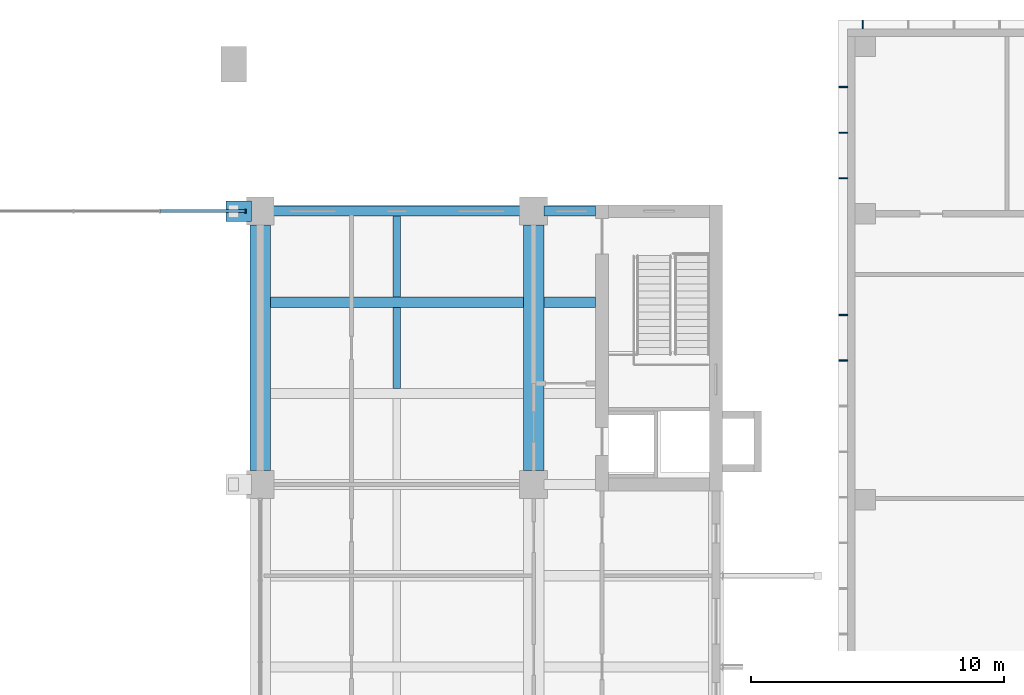
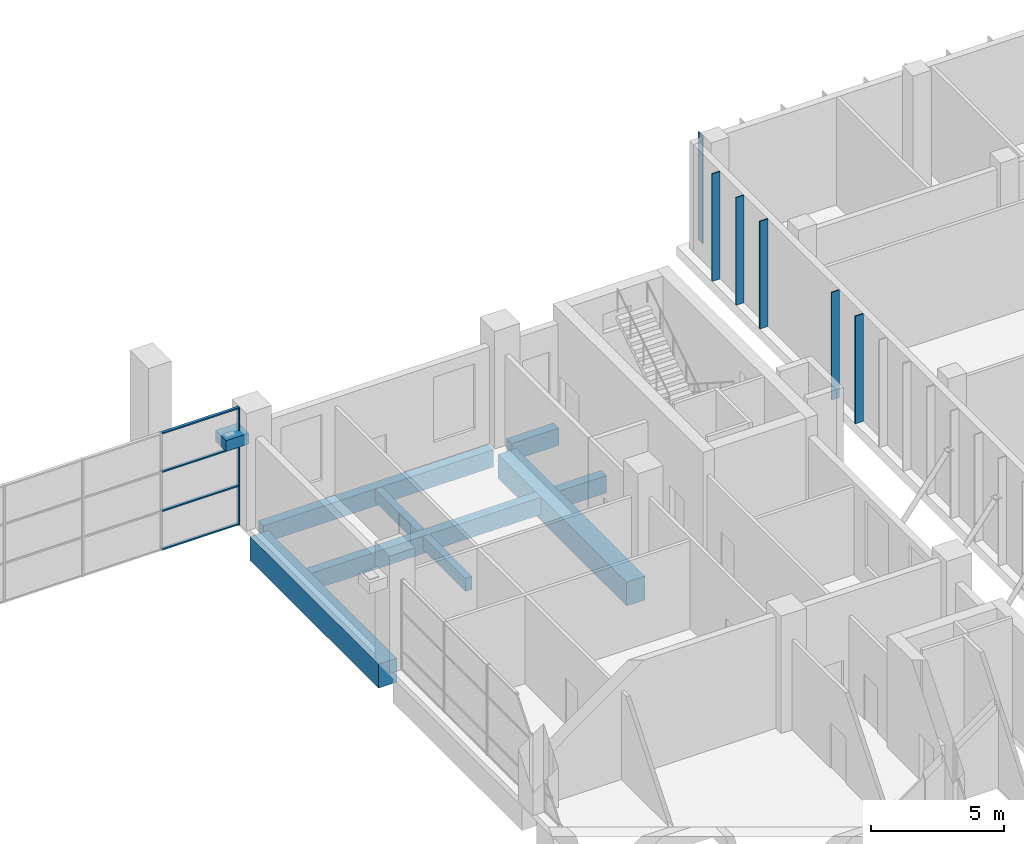
# One storey, part 12 of 38: 11 members, 9 beams, 1 element without a shape of its own.
"""IFC4 building model written with IfcOpenShell, lengths in metres."""

from ifc_helpers import new_model, si_unit, direction, frame, origin, origin_2d, place, context, subcontext, project, spatial, rectangle, extrude, material, layer, layer_set, material_profile, profile_set, type_object, element, aggregate, save


model = new_model("IFC4")

# Units and contexts
model_context = context("Model", 3, precision=1e-05, world=origin(), true_north=direction((0.0, 1.0)))
body_context = subcontext(model_context, "Body", "Model", "MODEL_VIEW")
ifc_project = project(units=[si_unit("LENGTHUNIT", "METRE"), si_unit("AREAUNIT", "SQUARE_METRE"), si_unit("VOLUMEUNIT", "CUBIC_METRE"), si_unit("PLANEANGLEUNIT", "RADIAN"), si_unit("MASSUNIT", "GRAM", prefix="KILO")], contexts=[model_context])

# Site, building, storey
site_placement = place(None, origin())
site = spatial("IfcSite", under=ifc_project, at=site_placement, CompositionType="ELEMENT")
building_placement = place(site_placement, origin())
building = spatial("IfcBuilding", under=site, at=building_placement, Name="Basin Gate Institute", CompositionType="ELEMENT")
storey_placement = place(building_placement, frame((0.0, 0.0, 16.800048828125)))
storey = spatial("IfcBuildingStorey", under=building, at=storey_placement, Name="L03", CompositionType="ELEMENT", Elevation=16.800048828125)

# Curtain wall, members
ifc_material_1 = material(Name="Aluminium and glass curtain wall", Category="aluminium")
ifc_layer = layer(ifc_material_1, 0.14990234375)
ifc_layer_set = layer_set([ifc_layer], Name="Atrium curtain wall CW81")
curtain_wall_type = type_object("IfcCurtainWallType", Name="Atrium curtain wall CW81", PredefinedType="NOTDEFINED", material=ifc_layer_set)
curtain_wall_placement = place(storey_placement, origin())
curtain_wall = element("IfcCurtainWall", 1, at=curtain_wall_placement, inside=storey, type_object=curtain_wall_type, material=ifc_layer_set, Name="Atrium end screen N L03", PredefinedType="NOTDEFINED")
ifc_material_2 = material(Name="Aluminium mullion", Category="aluminium")
ifc_material_profile_1 = material_profile(ifc_material_2, rectangle(XDim=0.159912109375, YDim=0.06005859375, at=origin_2d()), Name="Atrium mullion MU81 160 x 60")
ifc_profile_set_1 = profile_set([ifc_material_profile_1], Name="Aluminium mullion")
member_type_1 = type_object("IfcMemberType", Name="Atrium mullion MU81", PredefinedType="MULLION", material=ifc_profile_set_1)
member_1_placement = place(storey_placement, frame((100.219970703125, 99.89990234375, 0.0), z_axis=(0.0, 0.0, 1.0), x_axis=(0.0, 1.0, 0.0)))
member_1 = element("IfcMember", 2, at=member_1_placement, type_object=member_type_1, material=ifc_profile_set_1, Name="CW81 mullion 7", PredefinedType="MULLION", context=body_context, shape_type="SweptSolid", body=[
    extrude(rectangle(XDim=0.159912109375, YDim=0.06005859375, at=origin_2d()), origin(), (0.0, 0.0, 1.0), 5.39990234375),
])
ifc_material_3 = material(Name="Aluminium transom", Category="aluminium")
ifc_material_profile_2 = material_profile(ifc_material_3, rectangle(XDim=0.1201171875, YDim=0.06005859375, at=origin_2d()), Name="Atrium transom TR81 120 x 60")
ifc_profile_set_2 = profile_set([ifc_material_profile_2], Name="Aluminium transom")
member_type_2 = type_object("IfcMemberType", Name="Atrium transom TR81", PredefinedType="USERDEFINED", material=ifc_profile_set_2)
member_2_placement = place(storey_placement, frame((96.86328125, 99.89990234375, 0.030029296875), z_axis=(1.0, 0.0, 0.0), x_axis=(0.0, 1.0, 0.0)))
member_2 = element("IfcMember", 3, at=member_2_placement, type_object=member_type_2, material=ifc_profile_set_2, Name="CW81 transom 6.1", ObjectType="TRANSOM", PredefinedType="USERDEFINED", context=body_context, shape_type="SweptSolid", body=[
    extrude(rectangle(XDim=0.1201171875, YDim=0.06005859375, at=origin_2d()), origin(), (0.0, 0.0, 1.0), 3.32666015625),
])
member_3_placement = place(storey_placement, frame((96.86328125, 99.89990234375, 1.800048828125), z_axis=(1.0, 0.0, 0.0), x_axis=(0.0, 1.0, 0.0)))
member_3 = element("IfcMember", 4, at=member_3_placement, type_object=member_type_2, material=ifc_profile_set_2, Name="CW81 transom 6.2", ObjectType="TRANSOM", PredefinedType="USERDEFINED", context=body_context, shape_type="SweptSolid", body=[
    extrude(rectangle(XDim=0.1201171875, YDim=0.06005859375, at=origin_2d()), origin(), (0.0, 0.0, 1.0), 3.32666015625),
])
member_4_placement = place(storey_placement, frame((96.86328125, 99.89990234375, 3.599853515625), z_axis=(1.0, 0.0, 0.0), x_axis=(0.0, 1.0, 0.0)))
member_4 = element("IfcMember", 5, at=member_4_placement, type_object=member_type_2, material=ifc_profile_set_2, Name="CW81 transom 6.3", ObjectType="TRANSOM", PredefinedType="USERDEFINED", context=body_context, shape_type="SweptSolid", body=[
    extrude(rectangle(XDim=0.1201171875, YDim=0.06005859375, at=origin_2d()), origin(), (0.0, 0.0, 1.0), 3.32666015625),
])
member_5_placement = place(storey_placement, frame((96.86328125, 99.89990234375, 5.369873046875), z_axis=(1.0, 0.0, 0.0), x_axis=(0.0, 1.0, 0.0)))
member_5 = element("IfcMember", 6, at=member_5_placement, type_object=member_type_2, material=ifc_profile_set_2, Name="CW81 transom 6.4", ObjectType="TRANSOM", PredefinedType="USERDEFINED", context=body_context, shape_type="SweptSolid", body=[
    extrude(rectangle(XDim=0.1201171875, YDim=0.06005859375, at=origin_2d()), origin(), (0.0, 0.0, 1.0), 3.32666015625),
])
aggregate(curtain_wall, [member_1, member_2, member_3, member_4, member_5])

# Beams
ifc_material_4 = material(Name="Concrete 40 MPa", Category="concrete")
ifc_material_profile_3 = material_profile(ifc_material_4, rectangle(XDim=0.39990234375, YDim=0.800048828125, at=origin_2d()), Name="Beam B2 400 x 800")
ifc_profile_set_3 = profile_set([ifc_material_profile_3], Name="Concrete 40 MPa")
beam_type_1 = type_object("IfcBeamType", Name="Beam B2 R180", PredefinedType="BEAM", material=ifc_profile_set_3)
beam_1_placement = place(storey_placement, frame((111.199951171875, 96.300048828125, -0.699951171875), z_axis=(-1.0, 0.0, 0.0), x_axis=(0.0, -1.0, 0.0)))
element("IfcBeam", 7, at=beam_1_placement, inside=storey, type_object=beam_type_1, material=ifc_profile_set_3, Name="BEAM/L03/E/EW/18", PredefinedType="BEAM", context=body_context, shape_type="SweptSolid", body=[
    extrude(rectangle(XDim=0.39990234375, YDim=0.800048828125, at=origin_2d()), origin(), (0.0, 0.0, 1.0), 10.0),
])
beam_2_placement = place(storey_placement, frame((114.050048828125, 96.300048828125, -0.699951171875), z_axis=(-1.0, 0.0, 0.0), x_axis=(0.0, -1.0, 0.0)))
element("IfcBeam", 8, at=beam_2_placement, inside=storey, type_object=beam_type_1, material=ifc_profile_set_3, Name="BEAM/L03/E/CORR/18", PredefinedType="BEAM", context=body_context, shape_type="SweptSolid", body=[
    extrude(rectangle(XDim=0.39990234375, YDim=0.800048828125, at=origin_2d()), origin(), (0.0, 0.0, 1.0), 2.050048828125),
])
beam_3_placement = place(storey_placement, frame((111.199951171875, 99.89990234375, -0.699951171875), z_axis=(-1.0, 0.0, 0.0), x_axis=(0.0, -1.0, 0.0)))
element("IfcBeam", 9, at=beam_3_placement, inside=storey, type_object=beam_type_1, material=ifc_profile_set_3, Name="BEAM/L03/E/EW/19", PredefinedType="BEAM", context=body_context, shape_type="SweptSolid", body=[
    extrude(rectangle(XDim=0.39990234375, YDim=0.800048828125, at=origin_2d()), origin(), (0.0, 0.0, 1.0), 10.0),
])
beam_4_placement = place(storey_placement, frame((114.050048828125, 99.89990234375, -0.699951171875), z_axis=(-1.0, 0.0, 0.0), x_axis=(0.0, -1.0, 0.0)))
element("IfcBeam", 10, at=beam_4_placement, inside=storey, type_object=beam_type_1, material=ifc_profile_set_3, Name="BEAM/L03/E/CORR/19", PredefinedType="BEAM", context=body_context, shape_type="SweptSolid", body=[
    extrude(rectangle(XDim=0.39990234375, YDim=0.800048828125, at=origin_2d()), origin(), (0.0, 0.0, 1.0), 2.050048828125),
])
ifc_material_5 = material(Name="Concrete 40 MPa", Category="concrete")
ifc_material_profile_4 = material_profile(ifc_material_5, rectangle(XDim=0.800048828125, YDim=0.5, at=origin_2d()), Name="Beam CB1 800 x 500")
ifc_profile_set_4 = profile_set([ifc_material_profile_4], Name="Concrete 40 MPa")
beam_type_2 = type_object("IfcBeamType", Name="Beam CB1 R180", PredefinedType="BEAM", material=ifc_profile_set_4)
beam_5_placement = place(storey_placement, frame((100.449951171875, 99.89990234375, 4.099853515625), z_axis=(-1.0, 0.0, 0.0), x_axis=(0.0, -1.0, 0.0)))
element("IfcBeam", 11, at=beam_5_placement, inside=storey, type_object=beam_type_2, material=ifc_profile_set_4, Name="Atrium shell corbel R180 7E", PredefinedType="BEAM", context=body_context, shape_type="SweptSolid", body=[
    extrude(rectangle(XDim=0.800048828125, YDim=0.5, at=origin_2d()), origin(), (0.0, 0.0, 1.0), 1.0),
])
ifc_material_6 = material(Name="Concrete 50 MPa", Category="concrete")
ifc_material_profile_5 = material_profile(ifc_material_6, rectangle(XDim=0.800048828125, YDim=1.10009765625, at=origin_2d()), Name="Girder G2 800 x 1100")
ifc_profile_set_5 = profile_set([ifc_material_profile_5], Name="Concrete 50 MPa")
beam_type_3 = type_object("IfcBeamType", Name="Girder G2 R180", PredefinedType="BEAM", material=ifc_profile_set_5)
for number, where, z_axis, x_axis, name in (
    (12, (111.60009765625, 89.64990234375, -0.85009765625), (0.0, 1.0, 0.0), (-1.0, 0.0, 0.0), "GIR/L03/E8/6"),
    (13, (100.800048828125, 89.64990234375, -0.85009765625), (0.0, 1.0, 0.0), (-1.0, 0.0, 0.0), "GIR/L03/E7/6"),
):
    element("IfcBeam", number, at=place(storey_placement, frame(where, z_axis=z_axis, x_axis=x_axis)), inside=storey, type_object=beam_type_3, material=ifc_profile_set_5, Name=name, PredefinedType="BEAM", context=body_context, shape_type="SweptSolid", body=[
        extrude(rectangle(XDim=0.800048828125, YDim=1.10009765625, at=origin_2d()), origin(), (0.0, 0.0, 1.0), 9.7001953125),
    ])

# Members
ifc_material_7 = material(Name="Anodised aluminium", Category="aluminium")
ifc_material_profile_6 = material_profile(ifc_material_7, rectangle(XDim=0.050048828125, YDim=0.35009765625, at=origin_2d()), Name="Louvre fin CF1 50 x 350")
ifc_profile_set_6 = profile_set([ifc_material_profile_6], Name="Anodised aluminium")
member_type_3 = type_object("IfcMemberType", Name="Louvre fin CF1", PredefinedType="PLATE", material=ifc_profile_set_6)
for number, where, z_axis, x_axis, name in (
    (14, (124.60009765625, 107.27490234375, 0.0), (0.0, 0.0, 1.0), (1.0, 0.0, 0.0), "Louvre fin CF1 N1 L03"),
    (15, (123.824951171875, 94.0, 0.0), (0.0, 0.0, 1.0), (0.0, 1.0, 0.0), "Louvre fin CF1 W14 L03"),
    (16, (123.824951171875, 95.800048828125, 0.0), (0.0, 0.0, 1.0), (0.0, 1.0, 0.0), "Louvre fin CF1 W15 L03"),
    (17, (123.824951171875, 101.199951171875, 0.0), (0.0, 0.0, 1.0), (0.0, 1.0, 0.0), "Louvre fin CF1 W18 L03"),
    (18, (123.824951171875, 103.0, 0.0), (0.0, 0.0, 1.0), (0.0, 1.0, 0.0), "Louvre fin CF1 W19 L03"),
    (19, (123.824951171875, 104.800048828125, 0.0), (0.0, 0.0, 1.0), (0.0, 1.0, 0.0), "Louvre fin CF1 W20 L03"),
):
    element("IfcMember", number, at=place(storey_placement, frame(where, z_axis=z_axis, x_axis=x_axis)), inside=storey, type_object=member_type_3, material=ifc_profile_set_6, Name=name, PredefinedType="PLATE", context=body_context, shape_type="SweptSolid", body=[
        extrude(rectangle(XDim=0.050048828125, YDim=0.35009765625, at=origin_2d()), origin(), (0.0, 0.0, 1.0), 4.949951171875),
    ])

# Beams
ifc_material_8 = material(Name="Concrete 40 MPa", Category="concrete")
ifc_material_profile_7 = material_profile(ifc_material_8, rectangle(XDim=0.300048828125, YDim=0.60009765625, at=origin_2d()), Name="Rib R2 300 x 600")
ifc_profile_set_7 = profile_set([ifc_material_profile_7], Name="Concrete 40 MPa")
beam_type_4 = type_object("IfcBeamType", Name="Rib R2 R180", PredefinedType="JOIST", material=ifc_profile_set_7)
beam_6_placement = place(storey_placement, frame((106.199951171875, 92.89990234375, -0.60009765625), z_axis=(0.0, 1.0, 0.0), x_axis=(-1.0, 0.0, 0.0)))
element("IfcBeam", 20, at=beam_6_placement, inside=storey, type_object=beam_type_4, material=ifc_profile_set_7, Name="BEAM/L03/E/RIB/17", PredefinedType="JOIST", context=body_context, shape_type="SweptSolid", body=[
    extrude(rectangle(XDim=0.300048828125, YDim=0.60009765625, at=origin_2d()), origin(), (0.0, 0.0, 1.0), 3.2001953125),
])
beam_7_placement = place(storey_placement, frame((106.199951171875, 96.5, -0.60009765625), z_axis=(0.0, 1.0, 0.0), x_axis=(-1.0, 0.0, 0.0)))
element("IfcBeam", 21, at=beam_7_placement, inside=storey, type_object=beam_type_4, material=ifc_profile_set_7, Name="BEAM/L03/E/RIB/18", PredefinedType="JOIST", context=body_context, shape_type="SweptSolid", body=[
    extrude(rectangle(XDim=0.300048828125, YDim=0.60009765625, at=origin_2d()), origin(), (0.0, 0.0, 1.0), 3.199951171875),
])

save(model, "model.ifc")
